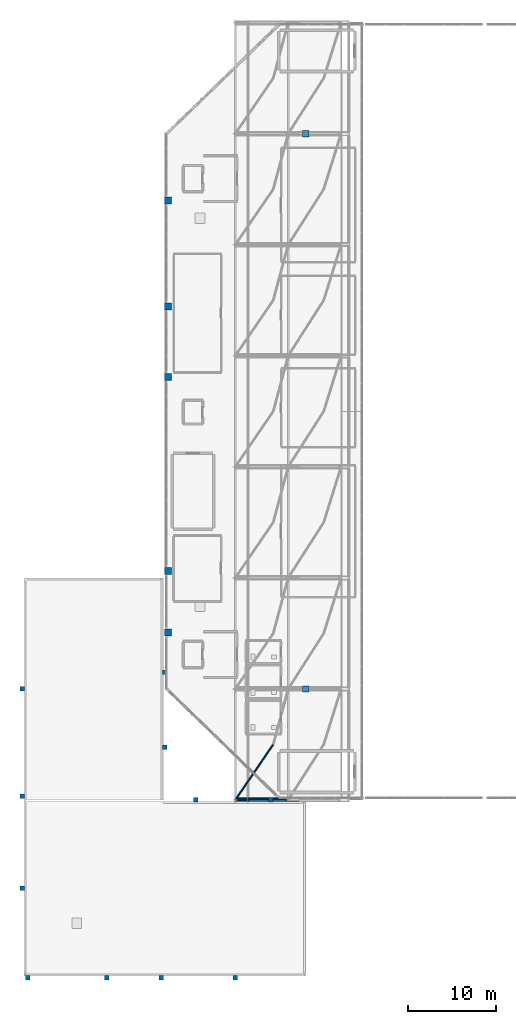
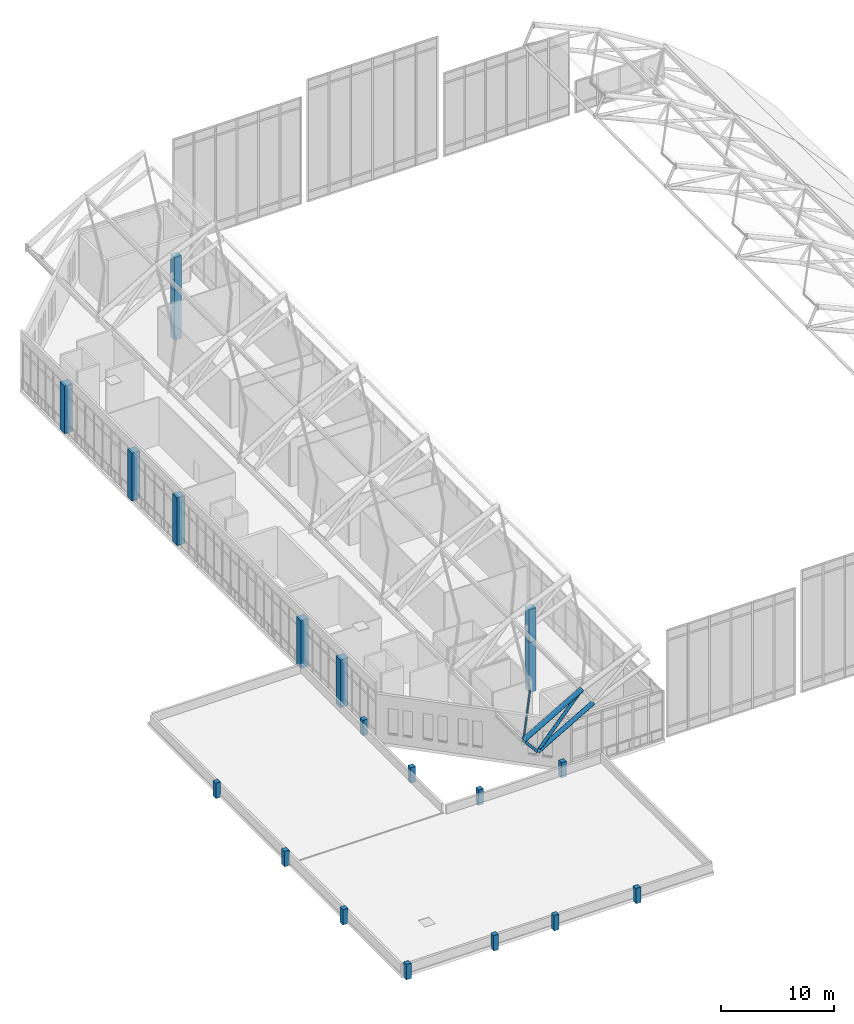
# One storey, part 1 of 42: 20 columns, 5 members.
"""IFC4 building model written with IfcOpenShell, lengths in metres."""

from ifc_helpers import new_model, si_unit, derived_unit, direction, frame, origin, origin_2d, place, context, subcontext, project, spatial, rectangle, hollow_circle, extrude, material, material_profile, profile_set, type_object, element, save


model = new_model("IFC4")

# Units and contexts
model_context = context("Model", 3, precision=1e-05, world=origin(), true_north=direction((0.0, 1.0)))
body_context = subcontext(model_context, "Body", "Model", "MODEL_VIEW")
ifc_project = project(units=[si_unit("LENGTHUNIT", "METRE"), si_unit("AREAUNIT", "SQUARE_METRE"), si_unit("VOLUMEUNIT", "CUBIC_METRE"), si_unit("PLANEANGLEUNIT", "RADIAN"), si_unit("MASSUNIT", "GRAM", prefix="KILO"), derived_unit("THERMALTRANSMITTANCEUNIT", [(si_unit("MASSUNIT", "GRAM", prefix="KILO"), 1), (si_unit("TIMEUNIT", "SECOND"), -3), (si_unit("THERMODYNAMICTEMPERATUREUNIT", "KELVIN"), -1)])], contexts=[model_context])

# Site, building, storey
site_placement = place(None, origin())
site = spatial("IfcSite", under=ifc_project, at=site_placement, CompositionType="ELEMENT")
building_placement = place(site_placement, origin())
building = spatial("IfcBuilding", under=site, at=building_placement, Name="Valcora Ridge Arena", CompositionType="ELEMENT")
storey_placement = place(building_placement, frame((0.0, 0.0, 26.39990234375)))
storey = spatial("IfcBuildingStorey", under=building, at=storey_placement, Name="L05", CompositionType="ELEMENT", Elevation=26.39990234375)

# Columns
ifc_material_1 = material(Name="Bush-hammered Andean travertine architectural concrete C45/55", Category="masonry")
ifc_material_profile_1 = material_profile(ifc_material_1, rectangle(XDim=0.800048828125, YDim=0.800048828125, at=origin_2d()), Name="RC 800x800")
ifc_profile_set_1 = profile_set([ifc_material_profile_1], Name="Bush-hammered Andean travertine architectural concrete C45/55")
column_type_1 = type_object("IfcColumnType", Name="TY-COLUMN-C-BUTT-800", PredefinedType="PILASTER", material=ifc_profile_set_1)
for number, where, z_axis, x_axis, name in (
    (1, (16.35009765625, 39.0, 0.0), (0.0, 0.0, 1.0), (1.0, 0.0, 0.0), "C-BUTT-800 COL-C-BUTT-800-0017"),
    (2, (16.35009765625, 46.0, 0.0), (0.0, 0.0, 1.0), (1.0, 0.0, 0.0), "C-BUTT-800 COL-C-BUTT-800-0020"),
    (3, (16.35009765625, 68.0, 0.0), (0.0, 0.0, 1.0), (1.0, 0.0, 0.0), "C-BUTT-800 COL-C-BUTT-800-0023"),
    (4, (16.35009765625, 76.0, 0.0), (0.0, 0.0, 1.0), (1.0, 0.0, 0.0), "C-BUTT-800 COL-C-BUTT-800-0026"),
    (5, (16.35009765625, 88.0, 0.0), (0.0, 0.0, 1.0), (1.0, 0.0, 0.0), "C-BUTT-800 COL-C-BUTT-800-0029"),
):
    element("IfcColumn", number, at=place(storey_placement, frame(where, z_axis=z_axis, x_axis=x_axis)), inside=storey, type_object=column_type_1, Name=name, PredefinedType="PILASTER", context=body_context, shape_type="SweptSolid", body=[
        extrude(rectangle(XDim=0.800048828125, YDim=0.800048828125, at=origin_2d()), origin(), (0.0, 0.0, 1.0), 5.18017578125),
    ])
ifc_material_profile_2 = material_profile(ifc_material_1, rectangle(XDim=0.5, YDim=0.5, at=origin_2d()), Name="RC 500x500")
ifc_profile_set_2 = profile_set([ifc_material_profile_2], Name="Bush-hammered Andean travertine architectural concrete C45/55")
column_type_2 = type_object("IfcColumnType", Name="TY-COLUMN-C-FINIAL-500", PredefinedType="PILASTER", material=ifc_profile_set_2)
for number, where, z_axis, x_axis, name in (
    (6, (0.449951171875, -0.179931640625, -0.31982421875), (0.0, 0.0, 1.0), (1.0, 0.0, 0.0), "C-FINIAL-500 COL-FN-C-FINIAL-500-0001"),
    (7, (9.39990234375, -0.179931640625, -0.31982421875), (0.0, 0.0, 1.0), (1.0, 0.0, 0.0), "C-FINIAL-500 COL-FN-C-FINIAL-500-0002"),
    (8, (15.60009765625, -0.179931640625, -0.31982421875), (0.0, 0.0, 1.0), (1.0, 0.0, 0.0), "C-FINIAL-500 COL-FN-C-FINIAL-500-0003"),
    (9, (24.0, -0.179931640625, -0.31982421875), (0.0, 0.0, 1.0), (1.0, 0.0, 0.0), "C-FINIAL-500 COL-FN-C-FINIAL-500-0004"),
    (10, (-0.179931640625, 10.0, -0.31982421875), (0.0, 0.0, 1.0), (1.0, 0.0, 0.0), "C-FINIAL-500 COL-FN-C-FINIAL-500-0005"),
    (11, (-0.179931640625, 20.39990234375, -0.31982421875), (0.0, 0.0, 1.0), (1.0, 0.0, 0.0), "C-FINIAL-500 COL-FN-C-FINIAL-500-0006"),
    (12, (-0.179931640625, 32.60009765625, -0.31982421875), (0.0, 0.0, 1.0), (1.0, 0.0, 0.0), "C-FINIAL-500 COL-FN-C-FINIAL-500-0007"),
    (13, (19.5, 20.0, -0.31982421875), (0.0, 0.0, 1.0), (1.0, 0.0, 0.0), "C-FINIAL-500 COL-FN-C-FINIAL-500-0008"),
    (14, (28.0, 20.0, -0.31982421875), (0.0, 0.0, 1.0), (1.0, 0.0, 0.0), "C-FINIAL-500 COL-FN-C-FINIAL-500-0009"),
    (15, (16.0, 26.0, -0.31982421875), (0.0, 0.0, 1.0), (1.0, 0.0, 0.0), "C-FINIAL-500 COL-FN-C-FINIAL-500-0010"),
    (16, (16.0, 34.5, -0.31982421875), (0.0, 0.0, 1.0), (1.0, 0.0, 0.0), "C-FINIAL-500 COL-FN-C-FINIAL-500-0011"),
):
    element("IfcColumn", number, at=place(storey_placement, frame(where, z_axis=z_axis, x_axis=x_axis)), inside=storey, type_object=column_type_2, Name=name, PredefinedType="PILASTER", context=body_context, shape_type="SweptSolid", body=[
        extrude(rectangle(XDim=0.5, YDim=0.5, at=origin_2d()), origin(), (0.0, 0.0, 1.0), 1.669921875),
    ])
ifc_material_2 = material(Name="Concrete C40/50", Category="concrete")
ifc_material_profile_3 = material_profile(ifc_material_2, rectangle(XDim=0.699951171875, YDim=0.699951171875, at=origin_2d()), Name="RC 700x700")
ifc_profile_set_3 = profile_set([ifc_material_profile_3], Name="Concrete C40/50")
column_type_3 = type_object("IfcColumnType", Name="TY-COLUMN-C-RC700", PredefinedType="COLUMN", material=ifc_profile_set_3)
column_1_placement = place(storey_placement, frame((32.0, 32.60009765625, 5.400146484375), z_axis=(0.0, 0.0, 1.0), x_axis=(1.0, 0.0, 0.0)))
element("IfcColumn", 17, at=column_1_placement, inside=storey, type_object=column_type_3, Name="C-RC700 COL-RF-C-RC700-0001", PredefinedType="COLUMN", context=body_context, shape_type="SweptSolid", body=[
    extrude(rectangle(XDim=0.699951171875, YDim=0.699951171875, at=origin_2d()), origin(), (0.0, 0.0, 1.0), 3.5888671875),
])
column_2_placement = place(storey_placement, frame((32.0, 32.60009765625, 0.0), z_axis=(0.0, 0.0, 1.0), x_axis=(1.0, 0.0, 0.0)))
element("IfcColumn", 18, at=column_2_placement, inside=storey, type_object=column_type_3, Name="C-RC700 COL-C-RC700-0015", PredefinedType="COLUMN", context=body_context, shape_type="SweptSolid", body=[
    extrude(rectangle(XDim=0.699951171875, YDim=0.699951171875, at=origin_2d()), origin(), (0.0, 0.0, 1.0), 5.400146484375),
])
column_3_placement = place(storey_placement, frame((32.0, 95.60009765625, 5.400146484375), z_axis=(0.0, 0.0, 1.0), x_axis=(1.0, 0.0, 0.0)))
element("IfcColumn", 19, at=column_3_placement, inside=storey, type_object=column_type_3, Name="C-RC700 COL-RF-C-RC700-0002", PredefinedType="COLUMN", context=body_context, shape_type="SweptSolid", body=[
    extrude(rectangle(XDim=0.699951171875, YDim=0.699951171875, at=origin_2d()), origin(), (0.0, 0.0, 1.0), 3.5888671875),
])
column_4_placement = place(storey_placement, frame((32.0, 95.60009765625, 0.0), z_axis=(0.0, 0.0, 1.0), x_axis=(1.0, 0.0, 0.0)))
element("IfcColumn", 20, at=column_4_placement, inside=storey, type_object=column_type_3, Name="C-RC700 COL-C-RC700-0018", PredefinedType="COLUMN", context=body_context, shape_type="SweptSolid", body=[
    extrude(rectangle(XDim=0.699951171875, YDim=0.699951171875, at=origin_2d()), origin(), (0.0, 0.0, 1.0), 5.400146484375),
])

# Members
ifc_material_3 = material(Name="Steel ASTM A500 Grade C", Category="steel")
ifc_material_profile_4 = material_profile(ifc_material_3, hollow_circle(Radius=0.228515625, WallThickness=0.01611328125, at=origin_2d()), Name="CHS457X16")
ifc_profile_set_4 = profile_set([ifc_material_profile_4], Name="Steel ASTM A500 Grade C")
member_type_1 = type_object("IfcMemberType", Name="TY-MEMBER-SFBC-457", PredefinedType="CHORD", material=ifc_profile_set_4)
member_1_placement = place(storey_placement, frame((25.438232421875, 20.0, 3.234130859375), z_axis=(0.864898384633, 0.0, 0.501946993476), x_axis=(0.0, 1.0, 0.0)))
element("IfcMember", 21, at=member_1_placement, inside=storey, type_object=member_type_1, Name="SFBC-457 Space Frame Bottom Chord", PredefinedType="CHORD", context=body_context, shape_type="SweptSolid", body=[
    extrude(hollow_circle(Radius=0.228515625, WallThickness=0.01611328125, at=origin_2d()), origin(), (0.0, 0.0, 1.0), 6.62353515625),
])
ifc_material_profile_5 = material_profile(ifc_material_3, hollow_circle(Radius=0.136474609375, WallThickness=0.012451171875, at=origin_2d()), Name="CHS273X12")
ifc_profile_set_5 = profile_set([ifc_material_profile_5], Name="Steel ASTM A500 Grade C")
member_type_2 = type_object("IfcMemberType", Name="TY-MEMBER-SFKP-273", PredefinedType="POST", material=ifc_profile_set_5)
member_2_placement = place(storey_placement, frame((25.438232421875, 20.0, 3.234130859375), z_axis=(-0.642337596391, 0.0, 0.766421823974), x_axis=(0.0, -1.0, 0.0)))
element("IfcMember", 22, at=member_2_placement, inside=storey, type_object=member_type_2, Name="SFKP-273 Space Frame King Post", PredefinedType="POST", context=body_context, shape_type="SweptSolid", body=[
    extrude(hollow_circle(Radius=0.136474609375, WallThickness=0.012451171875, at=origin_2d()), origin(), (0.0, 0.0, 1.0), 2.239013671875),
])
ifc_material_profile_6 = material_profile(ifc_material_3, hollow_circle(Radius=0.109619140625, WallThickness=0.010009765625, at=origin_2d()), Name="CHS219X10")
ifc_profile_set_6 = profile_set([ifc_material_profile_6], Name="Steel ASTM A500 Grade C")
member_type_3 = type_object("IfcMemberType", Name="TY-MEMBER-SFST-219", PredefinedType="STRUT", material=ifc_profile_set_6)
member_3_placement = place(storey_placement, frame((28.302734375, 26.300048828125, 5.01220703125), z_axis=(-0.563966435839, -0.825757709761, -0.008127977457), x_axis=(0.825784987548, -0.563985065706, 0.0)))
element("IfcMember", 23, at=member_3_placement, inside=storey, type_object=member_type_3, Name="SFST-219 Space Frame Tie Strut", PredefinedType="STRUT", context=body_context, shape_type="SweptSolid", body=[
    extrude(hollow_circle(Radius=0.109619140625, WallThickness=0.010009765625, at=origin_2d()), origin(), (0.0, 0.0, 1.0), 7.62939453125),
])
ifc_material_profile_7 = material_profile(ifc_material_3, hollow_circle(Radius=0.25390625, WallThickness=0.01611328125, at=origin_2d()), Name="CHS508X16")
ifc_profile_set_7 = profile_set([ifc_material_profile_7], Name="Steel ASTM A500 Grade C")
member_type_4 = type_object("IfcMemberType", Name="TY-MEMBER-SFTC-508", PredefinedType="CHORD", material=ifc_profile_set_7)
member_4_placement = place(storey_placement, frame((24.0, 20.0, 4.9501953125), z_axis=(0.864910194439, 0.0, 0.501926643599), x_axis=(0.0, 1.0, 0.0)))
element("IfcMember", 24, at=member_4_placement, inside=storey, type_object=member_type_4, Name="SFTC-508 Space Frame Top Chord", PredefinedType="CHORD", context=body_context, shape_type="SweptSolid", body=[
    extrude(hollow_circle(Radius=0.25390625, WallThickness=0.01611328125, at=origin_2d()), origin(), (0.0, 0.0, 1.0), 6.937255859375),
])
ifc_material_profile_8 = material_profile(ifc_material_3, hollow_circle(Radius=0.161865234375, WallThickness=0.012451171875, at=origin_2d()), Name="CHS323X12")
ifc_profile_set_8 = profile_set([ifc_material_profile_8], Name="Steel ASTM A500 Grade C")
member_type_5 = type_object("IfcMemberType", Name="TY-MEMBER-SFWB-323", PredefinedType="BRACE", material=ifc_profile_set_8)
member_5_placement = place(storey_placement, frame((25.543701171875, 20.0, 3.3544921875), z_axis=(0.659614231512, 0.0, 0.751604327813), x_axis=(0.0, 1.0, 0.0)))
element("IfcMember", 25, at=member_5_placement, inside=storey, type_object=member_type_5, Name="SFWB-323 Space Frame Diagonal Brace", PredefinedType="BRACE", context=body_context, shape_type="SweptSolid", body=[
    extrude(hollow_circle(Radius=0.161865234375, WallThickness=0.012451171875, at=origin_2d()), origin(), (0.0, 0.0, 1.0), 6.475830078125),
])

save(model, "model.ifc")
